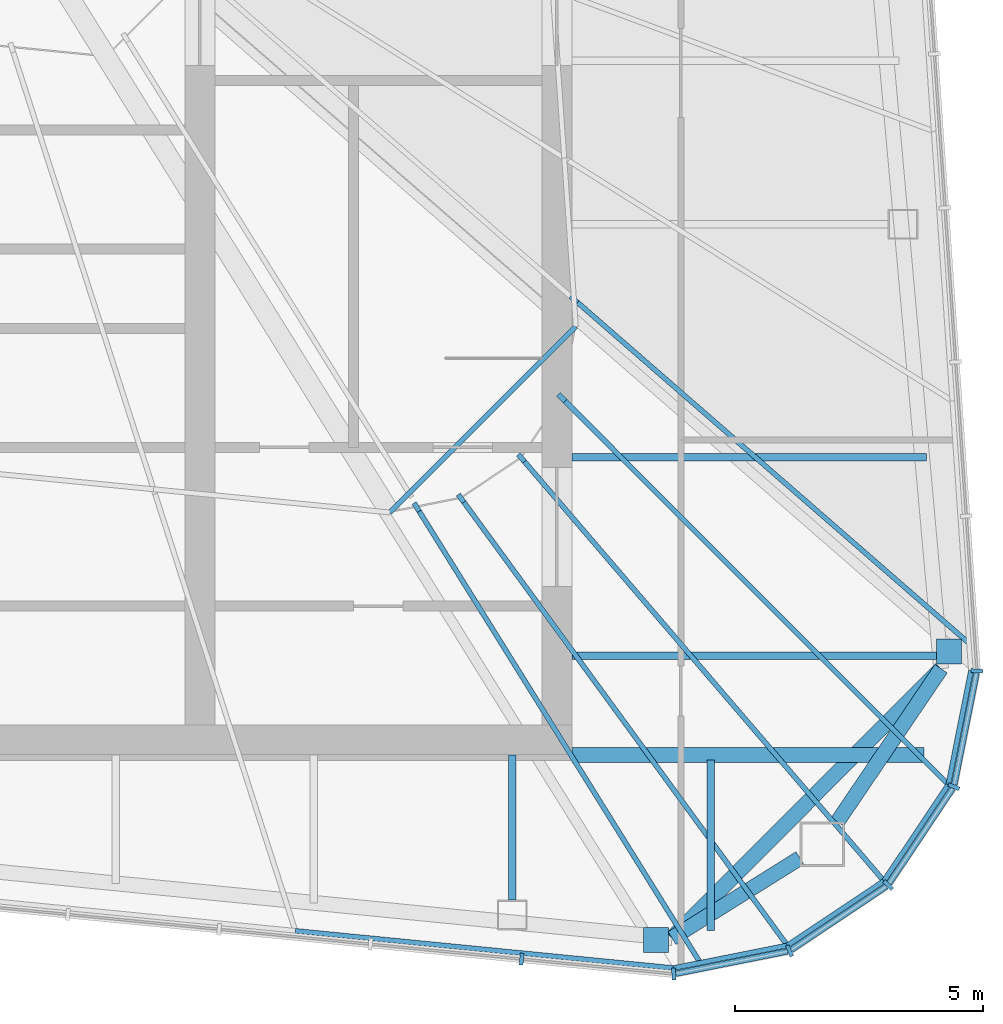
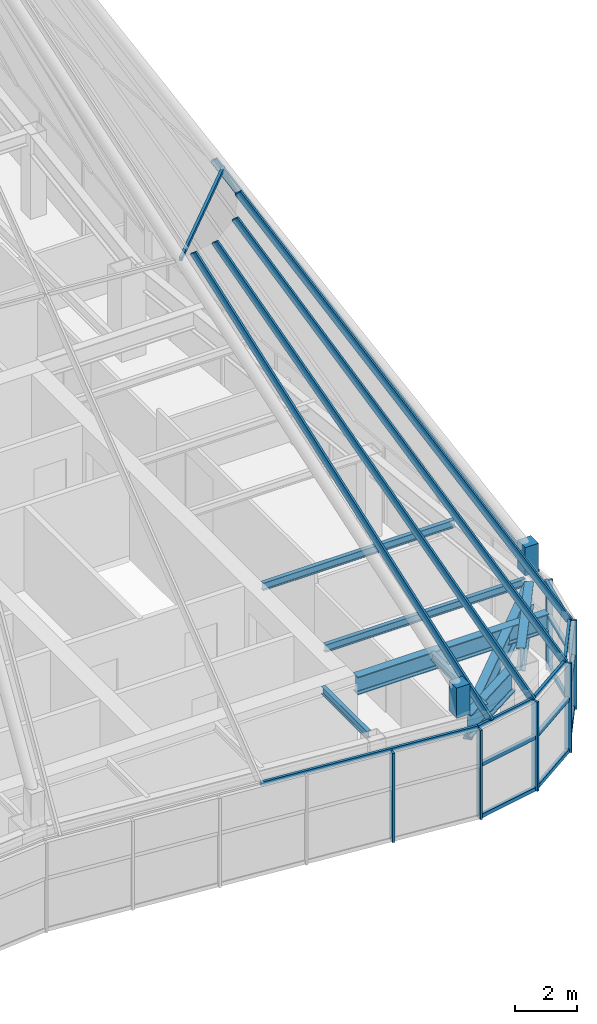
# One storey, part 9 of 28: 27 members, 8 beams, 10 elements without a shape of their own.
"""IFC4 building model written with IfcOpenShell, lengths in metres."""

import ifcopenshell
import ifcopenshell.guid

model = None  # the IFC model being written
_history = None  # IfcOwnerHistory: only IFC2X3 demands one
_inside = {}  # id of a spatial element -> (the spatial element, [elements in it])
_under = {}  # id of a project, library or spatial element -> (it, [spatial elements below it])
_declared = {}  # id of a project -> (the project, [libraries it declares])
_typed = {}  # id of a type object -> (the type object, [elements of that type])
_made_of = {}  # id of a material, layer set ... -> (it, [elements and type objects made of it])


def new_model(schema):
    """Start an empty IFC model of exactly this schema.

    Asked for "IFC4X3", IfcOpenShell would pick the latest addendum, in which some entities
    have other attributes; the version numbers below select the first issue.
    IFC2X3 requires an IfcOwnerHistory on every rooted entity: one is made here for all.
    """
    global model, _history
    if schema == "IFC4X3":
        model = ifcopenshell.file(schema_version=(4, 3, 0, 0))
    else:
        model = ifcopenshell.file(schema=schema)
    _inside.clear()
    _under.clear()
    _declared.clear()
    _typed.clear()
    _made_of.clear()
    _history = None
    if model.schema == "IFC2X3":
        org = make("IfcOrganization", Name="unknown")
        user = make(
            "IfcPersonAndOrganization",
            ThePerson=make("IfcPerson", FamilyName="unknown"),
            TheOrganization=org,
        )
        app = make(
            "IfcApplication",
            ApplicationDeveloper=org,
            Version="unknown",
            ApplicationFullName="unknown",
            ApplicationIdentifier="unknown",
        )
        _history = make(
            "IfcOwnerHistory",
            OwningUser=user,
            OwningApplication=app,
            ChangeAction="ADDED",
            CreationDate=0,
        )
    return model


def make(cls, **values):
    """One entity of the class cls with the attributes given. An attribute that is None is left unset."""
    return model.create_entity(
        cls, **{name: value for name, value in values.items() if value is not None}
    )


def rooted(cls, **values):
    """An entity with a GlobalId (a new one), such as an element, a storey or a relation."""
    return make(cls, GlobalId=ifcopenshell.guid.new(), OwnerHistory=_history, **values)


def si_unit(unit_type, name, prefix=None):
    """IfcSIUnit, for example si_unit("LENGTHUNIT", "METRE", prefix="MILLI")."""
    return make("IfcSIUnit", UnitType=unit_type, Prefix=prefix, Name=name)


def assignment(units):
    """IfcUnitAssignment: the units of a project."""
    return None if units is None else make("IfcUnitAssignment", Units=units)


def point(xyz):
    """IfcCartesianPoint."""
    return None if xyz is None else make("IfcCartesianPoint", Coordinates=xyz)


def direction(xyz):
    """IfcDirection."""
    return None if xyz is None else make("IfcDirection", DirectionRatios=xyz)


def frame(location, z_axis=None, x_axis=None):
    """IfcAxis2Placement3D, a coordinate frame: its origin and axes. An axis left out is left unset."""
    return make(
        "IfcAxis2Placement3D",
        Location=point(location),
        Axis=direction(z_axis),
        RefDirection=direction(x_axis),
    )


def frame_2d(location, x_axis=None):
    """IfcAxis2Placement2D, a coordinate frame in the plane: its origin and x axis."""
    return make(
        "IfcAxis2Placement2D", Location=point(location), RefDirection=direction(x_axis)
    )


def origin():
    """The frame at (0, 0, 0) with its axes left unset."""
    return frame((0.0, 0.0, 0.0))


def origin_2d():
    """The frame at (0, 0) in the plane with its x axis left unset."""
    return frame_2d((0.0, 0.0))


def place(relative_to, where):
    """IfcLocalPlacement: puts the frame where relative to a parent placement (None: the world)."""
    return make(
        "IfcLocalPlacement", PlacementRelTo=relative_to, RelativePlacement=where
    )


def context(
    kind, dimensions, precision=None, world=None, true_north=None, identifier=None
):
    """IfcGeometricRepresentationContext, for example the 3D "Model" context."""
    return make(
        "IfcGeometricRepresentationContext",
        ContextIdentifier=identifier,
        ContextType=kind,
        CoordinateSpaceDimension=dimensions,
        Precision=precision,
        WorldCoordinateSystem=world,
        TrueNorth=true_north,
    )


def subcontext(parent, identifier, kind, view, scale=None):
    """IfcGeometricRepresentationSubContext, for example "Body" below "Model"."""
    return make(
        "IfcGeometricRepresentationSubContext",
        ContextIdentifier=identifier,
        ContextType=kind,
        ParentContext=parent,
        TargetScale=scale,
        TargetView=view,
    )


def project(units=None, contexts=None):
    """IfcProject with its units and contexts."""
    return rooted(
        "IfcProject",
        Name="project",
        RepresentationContexts=contexts,
        UnitsInContext=assignment(units),
    )


def spatial(cls, under=None, at=None, **own):
    """A site, building, storey or space (cls), placed at a placement, below another one or the project."""
    s = rooted(cls, ObjectPlacement=at, **own)
    if under is not None:
        _under.setdefault(under.id(), (under, []))[1].append(s)
    return s


def profile(cls, at=None, kind="AREA", **sizes):
    """A parametric profile (cls). Its sizes go by their IFC names, for example OverallWidth=200.0."""
    return make(cls, ProfileType=kind, Position=at, **sizes)


def rectangle(**sizes):
    """IfcRectangleProfileDef."""
    return profile("IfcRectangleProfileDef", **sizes)


def i_section(**sizes):
    """IfcIShapeProfileDef."""
    return profile("IfcIShapeProfileDef", **sizes)


def extrude(swept, where, along, depth):
    """IfcExtrudedAreaSolid: the profile swept, set in the frame where, extruded along a direction by depth."""
    return make(
        "IfcExtrudedAreaSolid",
        SweptArea=swept,
        Position=where,
        ExtrudedDirection=direction(along),
        Depth=depth,
    )


def shape(context_of_items, identifier, shape_type, items):
    """IfcShapeRepresentation: the items that make up one representation, for example the "Body"."""
    return make(
        "IfcShapeRepresentation",
        ContextOfItems=context_of_items,
        RepresentationIdentifier=identifier,
        RepresentationType=shape_type,
        Items=items,
    )


def material(Name=None, Category=None):
    """IfcMaterial."""
    return make("IfcMaterial", Name=Name, Category=Category)


def layer(
    of_material, thickness, ventilated=None, Name=None, Category=None, Priority=None
):
    """IfcMaterialLayer: one layer of a wall or slab, of a material (None: an air gap)."""
    return make(
        "IfcMaterialLayer",
        Material=of_material,
        LayerThickness=thickness,
        IsVentilated=ventilated,
        Name=Name,
        Category=Category,
        Priority=Priority,
    )


def layer_set(layers, Name=None):
    """IfcMaterialLayerSet."""
    return make("IfcMaterialLayerSet", MaterialLayers=layers, LayerSetName=Name)


def material_profile(
    of_material, cross_section, Name=None, Category=None, Priority=None
):
    """IfcMaterialProfile: a cross section and its material."""
    return make(
        "IfcMaterialProfile",
        Name=Name,
        Material=of_material,
        Profile=cross_section,
        Priority=Priority,
        Category=Category,
    )


def profile_set(profiles, Name=None, composite=None):
    """IfcMaterialProfileSet."""
    return make(
        "IfcMaterialProfileSet",
        Name=Name,
        MaterialProfiles=profiles,
        CompositeProfile=composite,
    )


def made_of(thing, what):
    """Note that an element or type object is made of a material, layer set ...; save() writes the relation."""
    if what is not None:
        _made_of.setdefault(what.id(), (what, []))[1].append(thing)
    return thing


def type_object(cls, material=None, **own):
    """A type object (cls), such as IfcWallType, which elements share."""
    return made_of(rooted(cls, **own), material)


def element(
    cls,
    number,
    at=None,
    inside=None,
    cuts=None,
    type_object=None,
    material=None,
    context=None,
    identifier="Body",
    shape_type=None,
    held_by="IfcProductDefinitionShape",
    body=None,
    shapes=None,
    **own,
):
    """One element of the class cls, such as IfcWall. Its Tag is "e" and its number.

    at: its placement. inside: the storey or other place that contains it. cuts: it is an
    opening in that element (IfcRelVoidsElement). A single representation is given by context,
    identifier, shape_type and body (its items); several are given by shapes. held_by: the class
    of the entity that holds the representations. save() writes the other relations.
    """
    e = rooted(cls, Tag="e%d" % number, ObjectPlacement=at, **own)
    if body is not None:
        shapes = [shape(context, identifier, shape_type, body)]
    if shapes is not None:
        e.Representation = make(held_by, Representations=shapes)
    if inside is not None:
        _inside.setdefault(inside.id(), (inside, []))[1].append(e)
    if cuts is not None:
        rooted(
            "IfcRelVoidsElement", RelatingBuildingElement=cuts, RelatedOpeningElement=e
        )
    if type_object is not None:
        _typed.setdefault(type_object.id(), (type_object, []))[1].append(e)
    return made_of(e, material)


def aggregate(whole, parts):
    """IfcRelAggregates: a whole, such as a stair, and the parts it consists of."""
    return rooted("IfcRelAggregates", RelatingObject=whole, RelatedObjects=parts)


def save(model, path):
    """Write the relations noted so far, then the file.

    IfcRelAggregates (storeys below a building ...), IfcRelContainedInSpatialStructure (elements
    in a storey), IfcRelDefinesByType, IfcRelAssociatesMaterial and IfcRelDeclares: one each for
    every whole, place, type object, material and project.
    """
    for whole, parts in _under.values():
        aggregate(whole, parts)
    for where, things in _inside.values():
        rooted(
            "IfcRelContainedInSpatialStructure",
            RelatedElements=things,
            RelatingStructure=where,
        )
    for kind, things in _typed.values():
        rooted("IfcRelDefinesByType", RelatedObjects=things, RelatingType=kind)
    for what, things in _made_of.values():
        rooted("IfcRelAssociatesMaterial", RelatedObjects=things, RelatingMaterial=what)
    for by, libraries in _declared.values():
        rooted("IfcRelDeclares", RelatingContext=by, RelatedDefinitions=libraries)
    model.write(path)


model = new_model("IFC4")

# Units and contexts
model_context = context("Model", 3, precision=1e-05, world=origin(), true_north=direction((0.0, 1.0)))
body_context = subcontext(model_context, "Body", "Model", "MODEL_VIEW")
ifc_project = project(units=[si_unit("LENGTHUNIT", "METRE"), si_unit("AREAUNIT", "SQUARE_METRE"), si_unit("VOLUMEUNIT", "CUBIC_METRE"), si_unit("PLANEANGLEUNIT", "RADIAN"), si_unit("MASSUNIT", "GRAM", prefix="KILO")], contexts=[model_context])

# Site, building, storey
site_placement = place(None, origin())
site = spatial("IfcSite", under=ifc_project, at=site_placement, CompositionType="ELEMENT")
building_placement = place(site_placement, origin())
building = spatial("IfcBuilding", under=site, at=building_placement, Name="Verdant Reach Tower", CompositionType="ELEMENT")
storey_placement = place(building_placement, frame((0.0, 0.0, 368.0)))
storey = spatial("IfcBuildingStorey", under=building, at=storey_placement, Name="L83 Crown plant", CompositionType="ELEMENT", Elevation=368.0)

# Curtain wall, members
ifc_material_1 = material(Name="Anodised aluminium", Category="aluminium")
curtain_wall_type_1 = type_object("IfcCurtainWallType", Name="EN-CW SYSTEM PLANT", PredefinedType="NOTDEFINED", material=ifc_material_1)
curtain_wall_1_placement = place(storey_placement, origin())
curtain_wall_1 = element("IfcCurtainWall", 1, at=curtain_wall_1_placement, inside=storey, type_object=curtain_wall_type_1, Name="Curtain wall south-east corner, L83", PredefinedType="NOTDEFINED")
ifc_material_profile_1 = material_profile(ifc_material_1, rectangle(XDim=0.238037109375, YDim=0.080078125, at=origin_2d()), Name="Mullion 80x240")
ifc_profile_set_1 = profile_set([ifc_material_profile_1], Name="Anodised aluminium")
member_type_1 = type_object("IfcMemberType", Name="EN-MULLION PLANT", PredefinedType="MULLION", material=ifc_profile_set_1)
member_1_placement = place(storey_placement, frame((15.255859375, 13.381103515625, -0.35009765625), z_axis=(0.0, 0.0, 1.0), x_axis=(0.049127596288, -0.998792510626, 0.0)))
member_1 = element("IfcMember", 2, at=member_1_placement, type_object=member_type_1, Name="Mullion south-east corner 1, L83", PredefinedType="MULLION", context=body_context, shape_type="SweptSolid", body=[
    extrude(rectangle(XDim=0.238037109375, YDim=0.080078125, at=origin_2d()), origin(), (0.0, 0.0, 1.0), 3.5),
])
member_2_placement = place(storey_placement, frame((17.591552734375, 13.8466796875, -0.35009765625), z_axis=(0.0, 0.0, 1.0), x_axis=(0.382693853776, -0.923875215753, 0.0)))
member_2 = element("IfcMember", 3, at=member_2_placement, type_object=member_type_1, Name="Mullion south-east corner 2, L83", PredefinedType="MULLION", context=body_context, shape_type="SweptSolid", body=[
    extrude(rectangle(XDim=0.238037109375, YDim=0.080078125, at=origin_2d()), origin(), (0.0, 0.0, 1.0), 3.5),
])
member_3_placement = place(storey_placement, frame((19.57666015625, 15.17333984375, -0.35009765625), z_axis=(0.0, 0.0, 1.0), x_axis=(0.707106781187, -0.707106781187, 0.0)))
member_3 = element("IfcMember", 4, at=member_3_placement, type_object=member_type_1, Name="Mullion south-east corner 3, L83", PredefinedType="MULLION", context=body_context, shape_type="SweptSolid", body=[
    extrude(rectangle(XDim=0.238037109375, YDim=0.080078125, at=origin_2d()), origin(), (0.0, 0.0, 1.0), 3.5),
])
member_4_placement = place(storey_placement, frame((20.9033203125, 17.158447265625, -0.35009765625), z_axis=(0.0, 0.0, 1.0), x_axis=(0.923875215753, -0.382693853776, 0.0)))
member_4 = element("IfcMember", 5, at=member_4_placement, type_object=member_type_1, Name="Mullion south-east corner 4, L83", PredefinedType="MULLION", context=body_context, shape_type="SweptSolid", body=[
    extrude(rectangle(XDim=0.238037109375, YDim=0.080078125, at=origin_2d()), origin(), (0.0, 0.0, 1.0), 3.5),
])

# Curtain wall, member
curtain_wall_2_placement = place(storey_placement, origin())
curtain_wall_2 = element("IfcCurtainWall", 6, at=curtain_wall_2_placement, inside=storey, type_object=curtain_wall_type_1, Name="Curtain wall east, L83", PredefinedType="NOTDEFINED")
member_5_placement = place(storey_placement, frame((21.36865234375, 19.492431640625, -0.35009765625), z_axis=(0.0, 0.0, 1.0), x_axis=(0.997969180898, -0.063698618332, 0.0)))
member_5 = element("IfcMember", 7, at=member_5_placement, type_object=member_type_1, Name="Mullion east face part 1 1, L83", PredefinedType="MULLION", context=body_context, shape_type="SweptSolid", body=[
    extrude(rectangle(XDim=0.238037109375, YDim=0.080078125, at=origin_2d()), origin(), (0.0, 0.0, 1.0), 3.5),
])
aggregate(curtain_wall_2, [member_5])

curtain_wall_3_placement = place(storey_placement, origin())
curtain_wall_3 = element("IfcCurtainWall", 8, at=curtain_wall_3_placement, inside=storey, type_object=curtain_wall_type_1, Name="Curtain wall south, L83", PredefinedType="NOTDEFINED")
member_6_placement = place(storey_placement, frame((12.188232421875, 13.681640625, -0.35009765625), z_axis=(0.0, 0.0, 1.0), x_axis=(-0.09788826992, -0.995197410875, 0.0)))
member_6 = element("IfcMember", 9, at=member_6_placement, type_object=member_type_1, Name="Mullion south face part 2 5, L83", PredefinedType="MULLION", context=body_context, shape_type="SweptSolid", body=[
    extrude(rectangle(XDim=0.238037109375, YDim=0.080078125, at=origin_2d()), origin(), (0.0, 0.0, 1.0), 3.5),
])
aggregate(curtain_wall_3, [member_6])

curtain_wall_type_2 = type_object("IfcCurtainWallType", Name="EN-CW SYSTEM CROWN APEX", PredefinedType="NOTDEFINED", material=ifc_material_1)
curtain_wall_4_placement = place(storey_placement, origin())
curtain_wall_4 = element("IfcCurtainWall", 10, at=curtain_wall_4_placement, inside=storey, type_object=curtain_wall_type_2, Name="Crown glazing unit south-east corner 1, level 01", PredefinedType="NOTDEFINED")
ifc_material_profile_2 = material_profile(ifc_material_1, rectangle(XDim=0.10009765625, YDim=0.239990234375, at=origin_2d()), Name="Mullion 100x240")
ifc_profile_set_2 = profile_set([ifc_material_profile_2], Name="Anodised aluminium")
member_type_2 = type_object("IfcMemberType", Name="EN-RIB MULLION CROWN", PredefinedType="MULLION", material=ifc_profile_set_2)
member_7_placement = place(storey_placement, frame((15.78955078125, 13.607177734375, 3.14990234375), z_axis=(-0.312082184121, 0.501377935145, 0.806985053458), x_axis=(-0.848970240375, -0.528440659826, 0.0)))
member_7 = element("IfcMember", 11, at=member_7_placement, type_object=member_type_2, Name="Crown mullion south-east corner 1, level 01", PredefinedType="MULLION", context=body_context, shape_type="SweptSolid", body=[
    extrude(rectangle(XDim=0.10009765625, YDim=0.239990234375, at=origin_2d()), origin(), (0.0, 0.0, 1.0), 18.324462890625),
])

curtain_wall_5_placement = place(storey_placement, origin())
curtain_wall_5 = element("IfcCurtainWall", 12, at=curtain_wall_5_placement, inside=storey, type_object=curtain_wall_type_2, Name="Crown glazing unit south-east corner 2, level 01", PredefinedType="NOTDEFINED")
member_8_placement = place(storey_placement, frame((17.546142578125, 13.956787109375, 3.14990234375), z_axis=(-0.355144326864, 0.486641682724, 0.798155611226), x_axis=(-0.807769272417, -0.589498772296, 0.0)))
member_8 = element("IfcMember", 13, at=member_8_placement, type_object=member_type_2, Name="Crown mullion south-east corner 2, level 01", PredefinedType="MULLION", context=body_context, shape_type="SweptSolid", body=[
    extrude(rectangle(XDim=0.10009765625, YDim=0.239990234375, at=origin_2d()), origin(), (0.0, 0.0, 1.0), 18.527099609375),
])

curtain_wall_6_placement = place(storey_placement, origin())
curtain_wall_6 = element("IfcCurtainWall", 14, at=curtain_wall_6_placement, inside=storey, type_object=curtain_wall_type_2, Name="Crown glazing unit south-east corner 3, level 01", PredefinedType="NOTDEFINED")
member_9_placement = place(storey_placement, frame((19.49267578125, 15.25732421875, 3.14990234375), z_axis=(-0.393636847085, 0.459267091253, 0.796318888077), x_axis=(-0.759273478803, -0.650771683762, 0.0)))
member_9 = element("IfcMember", 15, at=member_9_placement, type_object=member_type_2, Name="Crown mullion south-east corner 3, level 01", PredefinedType="MULLION", context=body_context, shape_type="SweptSolid", body=[
    extrude(rectangle(XDim=0.10009765625, YDim=0.239990234375, at=origin_2d()), origin(), (0.0, 0.0, 1.0), 18.56982421875),
])

curtain_wall_7_placement = place(storey_placement, origin())
curtain_wall_7 = element("IfcCurtainWall", 16, at=curtain_wall_7_placement, inside=storey, type_object=curtain_wall_type_2, Name="Crown glazing unit south-east corner 4, level 01", PredefinedType="NOTDEFINED")
member_10_placement = place(storey_placement, frame((20.793212890625, 17.203857421875, 3.14990234375), z_axis=(-0.422691274786, 0.42275744851, 0.801628483744), x_axis=(-0.707162124646, -0.707051433395, 0.0)))
member_10 = element("IfcMember", 17, at=member_10_placement, type_object=member_type_2, Name="Crown mullion south-east corner 4, level 01", PredefinedType="MULLION", context=body_context, shape_type="SweptSolid", body=[
    extrude(rectangle(XDim=0.10009765625, YDim=0.239990234375, at=origin_2d()), origin(), (0.0, 0.0, 1.0), 18.447021484375),
])

curtain_wall_8_placement = place(storey_placement, origin())
curtain_wall_8 = element("IfcCurtainWall", 18, at=curtain_wall_8_placement, inside=storey, type_object=curtain_wall_type_2, Name="Crown glazing unit east face part 1 1, level 01", PredefinedType="NOTDEFINED")
member_11_placement = place(storey_placement, frame((21.212158203125, 20.048583984375, 3.14990234375), z_axis=(-0.438464049798, 0.381721643354, 0.81365709241), x_axis=(-0.656617966376, -0.754223339756, 0.0)))
member_11 = element("IfcMember", 19, at=member_11_placement, type_object=member_type_2, Name="Crown mullion east face part 1 1, level 01", PredefinedType="MULLION", context=body_context, shape_type="SweptSolid", body=[
    extrude(rectangle(XDim=0.10009765625, YDim=0.239990234375, at=origin_2d()), origin(), (0.0, 0.0, 1.0), 18.17431640625),
])
aggregate(curtain_wall_8, [member_11])

# Member
ifc_material_profile_3 = material_profile(ifc_material_1, rectangle(XDim=0.10009765625, YDim=0.139892578125, at=origin_2d()), Name="Transom 140x100")
ifc_profile_set_3 = profile_set([ifc_material_profile_3], Name="Anodised aluminium")
member_type_3 = type_object("IfcMemberType", Name="EN-TRANSOM CROWN", PredefinedType="USERDEFINED", material=ifc_profile_set_3)
member_12_placement = place(storey_placement, frame((15.25, 13.5, 3.14990234375), z_axis=(0.980780707056, 0.195113312377, 0.0), x_axis=(-0.195113312377, 0.980780707056, 0.0)))
member_12 = element("IfcMember", 20, at=member_12_placement, type_object=member_type_3, Name="Crown transom south-east corner 1, level 01", ObjectType="TRANSOM", PredefinedType="USERDEFINED", context=body_context, shape_type="SweptSolid", body=[
    extrude(rectangle(XDim=0.10009765625, YDim=0.139892578125, at=origin_2d()), origin(), (0.0, 0.0, 1.0), 2.341064453125),
])

aggregate(curtain_wall_4, [member_7, member_12])

member_13_placement = place(storey_placement, frame((17.546142578125, 13.956787109375, 3.14990234375), z_axis=(0.831488317141, 0.55554223823, 0.0), x_axis=(-0.55554223823, 0.831488317141, 0.0)))
member_13 = element("IfcMember", 21, at=member_13_placement, type_object=member_type_3, Name="Crown transom south-east corner 2, level 01", ObjectType="TRANSOM", PredefinedType="USERDEFINED", context=body_context, shape_type="SweptSolid", body=[
    extrude(rectangle(XDim=0.10009765625, YDim=0.139892578125, at=origin_2d()), origin(), (0.0, 0.0, 1.0), 2.341064453125),
])

aggregate(curtain_wall_5, [member_8, member_13])

member_14_placement = place(storey_placement, frame((19.49267578125, 15.25732421875, 3.14990234375), z_axis=(0.55554223823, 0.831488317141, 0.0), x_axis=(-0.831488317141, 0.55554223823, 0.0)))
member_14 = element("IfcMember", 22, at=member_14_placement, type_object=member_type_3, Name="Crown transom south-east corner 3, level 01", ObjectType="TRANSOM", PredefinedType="USERDEFINED", context=body_context, shape_type="SweptSolid", body=[
    extrude(rectangle(XDim=0.10009765625, YDim=0.139892578125, at=origin_2d()), origin(), (0.0, 0.0, 1.0), 2.341064453125),
])

aggregate(curtain_wall_6, [member_9, member_14])

member_15_placement = place(storey_placement, frame((20.793212890625, 17.203857421875, 3.14990234375), z_axis=(0.195113312377, 0.980780707056, 0.0), x_axis=(-0.980780707056, 0.195113312377, 0.0)))
member_15 = element("IfcMember", 23, at=member_15_placement, type_object=member_type_3, Name="Crown transom south-east corner 4, level 01", ObjectType="TRANSOM", PredefinedType="USERDEFINED", context=body_context, shape_type="SweptSolid", body=[
    extrude(rectangle(XDim=0.10009765625, YDim=0.139892578125, at=origin_2d()), origin(), (0.0, 0.0, 1.0), 2.341064453125),
])

aggregate(curtain_wall_7, [member_10, member_15])

# Curtain wall, member
curtain_wall_9_placement = place(storey_placement, origin())
curtain_wall_9 = element("IfcCurtainWall", 24, at=curtain_wall_9_placement, inside=storey, type_object=curtain_wall_type_2, Name="Crown glazing unit south face part 2 2, level 01", PredefinedType="NOTDEFINED")
member_16_placement = place(storey_placement, frame((7.625, 14.25, 3.14990234375), z_axis=(0.995197410875, -0.097888269922, 0.0), x_axis=(0.097888269922, 0.995197410875, 0.0)))
member_16 = element("IfcMember", 25, at=member_16_placement, type_object=member_type_3, Name="Crown transom south face part 2 2, level 01", ObjectType="TRANSOM", PredefinedType="USERDEFINED", context=body_context, shape_type="SweptSolid", body=[
    extrude(rectangle(XDim=0.10009765625, YDim=0.139892578125, at=origin_2d()), origin(), (0.0, 0.0, 1.0), 7.661865234375),
])
aggregate(curtain_wall_9, [member_16])

curtain_wall_10_placement = place(storey_placement, origin())
curtain_wall_10 = element("IfcCurtainWall", 26, at=curtain_wall_10_placement, inside=storey, type_object=curtain_wall_type_2, Name="Crown glazing unit south-east corner 1, level 02", PredefinedType="NOTDEFINED")
member_17_placement = place(storey_placement, frame((9.53125, 22.6875, 17.9375), z_axis=(0.707106781187, 0.707106781187, 0.0), x_axis=(-0.707106781187, 0.707106781187, 0.0)))
member_17 = element("IfcMember", 27, at=member_17_placement, type_object=member_type_3, Name="Crown transom south-east corner 1, level 02", ObjectType="TRANSOM", PredefinedType="USERDEFINED", context=body_context, shape_type="SweptSolid", body=[
    extrude(rectangle(XDim=0.10009765625, YDim=0.139892578125, at=origin_2d()), origin(), (0.0, 0.0, 1.0), 5.30322265625),
])
aggregate(curtain_wall_10, [member_17])

# Member
ifc_material_profile_4 = material_profile(ifc_material_1, rectangle(XDim=0.1201171875, YDim=0.14990234375, at=origin_2d()), Name="Transom 150x120")
ifc_profile_set_4 = profile_set([ifc_material_profile_4], Name="Anodised aluminium")
member_type_4 = type_object("IfcMemberType", Name="EN-TRANSOM PLANT", PredefinedType="USERDEFINED", material=ifc_profile_set_4)
member_18_placement = place(storey_placement, frame((15.295166015625, 13.388916015625, -0.27490234375), z_axis=(0.980706937788, 0.195483764476, 0.0), x_axis=(-0.195483764476, 0.980706937788, 0.0)))
member_18 = element("IfcMember", 28, at=member_18_placement, type_object=member_type_4, Name="Transom south-east corner 1.1, L83", ObjectType="TRANSOM", PredefinedType="USERDEFINED", context=body_context, shape_type="SweptSolid", body=[
    extrude(rectangle(XDim=0.1201171875, YDim=0.14990234375, at=origin_2d()), origin(), (0.0, 0.0, 1.0), 2.3017578125),
])

member_19_placement = place(storey_placement, frame((17.625, 13.868896484375, -0.27490234375), z_axis=(0.831398626828, 0.5556764556, 0.0), x_axis=(-0.5556764556, 0.831398626828, 0.0)))
member_19 = element("IfcMember", 29, at=member_19_placement, type_object=member_type_4, Name="Transom south-east corner 2.1, L83", ObjectType="TRANSOM", PredefinedType="USERDEFINED", context=body_context, shape_type="SweptSolid", body=[
    extrude(rectangle(XDim=0.1201171875, YDim=0.14990234375, at=origin_2d()), origin(), (0.0, 0.0, 1.0), 2.3076171875),
])

member_20_placement = place(storey_placement, frame((19.598876953125, 15.20654296875, -0.27490234375), z_axis=(0.5556764556, 0.831398626828, 0.0), x_axis=(-0.831398626828, 0.5556764556, 0.0)))
member_20 = element("IfcMember", 30, at=member_20_placement, type_object=member_type_4, Name="Transom south-east corner 3.1, L83", ObjectType="TRANSOM", PredefinedType="USERDEFINED", context=body_context, shape_type="SweptSolid", body=[
    extrude(rectangle(XDim=0.1201171875, YDim=0.14990234375, at=origin_2d()), origin(), (0.0, 0.0, 1.0), 2.3076171875),
])

member_21_placement = place(storey_placement, frame((20.9111328125, 17.197509765625, -0.27490234375), z_axis=(0.195524121666, 0.980698892549, 0.0), x_axis=(-0.980698892549, 0.195524121666, 0.0)))
member_21 = element("IfcMember", 31, at=member_21_placement, type_object=member_type_4, Name="Transom south-east corner 4.1, L83", ObjectType="TRANSOM", PredefinedType="USERDEFINED", context=body_context, shape_type="SweptSolid", body=[
    extrude(rectangle(XDim=0.1201171875, YDim=0.14990234375, at=origin_2d()), origin(), (0.0, 0.0, 1.0), 2.300048828125),
])

member_22_placement = place(storey_placement, frame((15.295166015625, 13.388916015625, 1.75), z_axis=(0.980706937788, 0.195483764476, 0.0), x_axis=(-0.195483764476, 0.980706937788, 0.0)))
member_22 = element("IfcMember", 32, at=member_22_placement, type_object=member_type_4, Name="Transom south-east corner 1.2, L83", ObjectType="TRANSOM", PredefinedType="USERDEFINED", context=body_context, shape_type="SweptSolid", body=[
    extrude(rectangle(XDim=0.1201171875, YDim=0.14990234375, at=origin_2d()), origin(), (0.0, 0.0, 1.0), 2.3017578125),
])

member_23_placement = place(storey_placement, frame((17.625, 13.868896484375, 1.75), z_axis=(0.831398626828, 0.5556764556, 0.0), x_axis=(-0.5556764556, 0.831398626828, 0.0)))
member_23 = element("IfcMember", 33, at=member_23_placement, type_object=member_type_4, Name="Transom south-east corner 2.2, L83", ObjectType="TRANSOM", PredefinedType="USERDEFINED", context=body_context, shape_type="SweptSolid", body=[
    extrude(rectangle(XDim=0.1201171875, YDim=0.14990234375, at=origin_2d()), origin(), (0.0, 0.0, 1.0), 2.3076171875),
])

member_24_placement = place(storey_placement, frame((19.598876953125, 15.20654296875, 1.75), z_axis=(0.5556764556, 0.831398626828, 0.0), x_axis=(-0.831398626828, 0.5556764556, 0.0)))
member_24 = element("IfcMember", 34, at=member_24_placement, type_object=member_type_4, Name="Transom south-east corner 3.2, L83", ObjectType="TRANSOM", PredefinedType="USERDEFINED", context=body_context, shape_type="SweptSolid", body=[
    extrude(rectangle(XDim=0.1201171875, YDim=0.14990234375, at=origin_2d()), origin(), (0.0, 0.0, 1.0), 2.3076171875),
])

member_25_placement = place(storey_placement, frame((20.9111328125, 17.197509765625, 1.75), z_axis=(0.195524121666, 0.980698892549, 0.0), x_axis=(-0.980698892549, 0.195524121666, 0.0)))
member_25 = element("IfcMember", 35, at=member_25_placement, type_object=member_type_4, Name="Transom south-east corner 4.2, L83", ObjectType="TRANSOM", PredefinedType="USERDEFINED", context=body_context, shape_type="SweptSolid", body=[
    extrude(rectangle(XDim=0.1201171875, YDim=0.14990234375, at=origin_2d()), origin(), (0.0, 0.0, 1.0), 2.300048828125),
])

aggregate(curtain_wall_1, [member_1, member_2, member_3, member_4, member_18, member_19, member_20, member_21, member_22, member_23, member_24, member_25])

# Beams
ifc_material_2 = material(Name="Steel S355", Category="steel")
ifc_material_profile_5 = material_profile(ifc_material_2, i_section(OverallWidth=0.300048828125, OverallDepth=0.699951171875, WebThickness=0.01708984375, FlangeThickness=0.031982421875, FilletRadius=0.027099609375, at=origin_2d()), Name="HEB 700")
ifc_profile_set_5 = profile_set([ifc_material_profile_5], Name="Steel S355")
beam_type_1 = type_object("IfcBeamType", Name="ST-BEAM-HEB700", PredefinedType="BEAM", material=ifc_profile_set_5)
beam_1_placement = place(storey_placement, frame((13.199951171875, 17.800048828125, 2.949951171875), z_axis=(1.0, 0.0, 0.0), x_axis=(0.0, 1.0, 0.0)))
element("IfcBeam", 36, at=beam_1_placement, inside=storey, type_object=beam_type_1, Name="Trimmer beam, L83 Crown plant", PredefinedType="BEAM", context=body_context, shape_type="SweptSolid", body=[
    extrude(i_section(OverallWidth=0.300048828125, OverallDepth=0.699951171875, WebThickness=0.01708984375, FlangeThickness=0.031982421875, FilletRadius=0.027099609375, at=origin_2d()), origin(), (0.0, 0.0, 1.0), 7.10009765625),
])
ifc_material_profile_6 = material_profile(ifc_material_2, i_section(OverallWidth=0.302001953125, OverallDepth=0.909912109375, WebThickness=0.02099609375, FlangeThickness=0.0400390625, FilletRadius=0.030029296875, at=origin_2d()), Name="HEM 900")
ifc_profile_set_6 = profile_set([ifc_material_profile_6], Name="Steel S355")
beam_type_2 = type_object("IfcBeamType", Name="ST-BEAM-HEM900", PredefinedType="BEAM", material=ifc_profile_set_6)
beam_2_placement = place(storey_placement, frame((17.800048828125, 15.71875, 2.844970703125), z_axis=(-0.847903624467, -0.530150397166, 0.0), x_axis=(0.530150397166, -0.847903624467, 0.0)))
element("IfcBeam", 37, at=beam_2_placement, inside=storey, type_object=beam_type_2, Name="Column stub beam, L83 Crown plant", PredefinedType="BEAM", context=body_context, shape_type="SweptSolid", body=[
    extrude(i_section(OverallWidth=0.302001953125, OverallDepth=0.909912109375, WebThickness=0.02099609375, FlangeThickness=0.0400390625, FilletRadius=0.030029296875, at=origin_2d()), origin(), (0.0, 0.0, 1.0), 3.042724609375),
])
beam_3_placement = place(storey_placement, frame((18.5546875, 16.449951171875, 2.844970703125), z_axis=(0.560667226688, 0.828041219335, 0.0), x_axis=(-0.828041219335, 0.560667226688, 0.0)))
element("IfcBeam", 38, at=beam_3_placement, inside=storey, type_object=beam_type_2, Name="Column stub beam, L83 Crown plant", PredefinedType="BEAM", context=body_context, shape_type="SweptSolid", body=[
    extrude(i_section(OverallWidth=0.302001953125, OverallDepth=0.909912109375, WebThickness=0.02099609375, FlangeThickness=0.0400390625, FilletRadius=0.030029296875, at=origin_2d()), origin(), (0.0, 0.0, 1.0), 3.72998046875),
])
ifc_material_profile_7 = material_profile(ifc_material_2, i_section(OverallWidth=0.14990234375, OverallDepth=0.300048828125, WebThickness=0.007080078125, FlangeThickness=0.0107421875, FilletRadius=0.014892578125, at=origin_2d()), Name="IPE 300")
ifc_profile_set_7 = profile_set([ifc_material_profile_7], Name="Steel S355")
beam_type_3 = type_object("IfcBeamType", Name="ST-JOIST-IPE300", PredefinedType="JOIST", material=ifc_profile_set_7)
beam_4_placement = place(storey_placement, frame((12.0, 17.800048828125, 3.14990234375), z_axis=(0.0, -1.0, 0.0), x_axis=(1.0, 0.0, 0.0)))
element("IfcBeam", 39, at=beam_4_placement, inside=storey, type_object=beam_type_3, Name="Floor joist, L83 Crown plant", PredefinedType="JOIST", context=body_context, shape_type="SweptSolid", body=[
    extrude(i_section(OverallWidth=0.14990234375, OverallDepth=0.300048828125, WebThickness=0.007080078125, FlangeThickness=0.0107421875, FilletRadius=0.014892578125, at=origin_2d()), origin(), (0.0, 0.0, 1.0), 2.930419921875),
])
beam_5_placement = place(storey_placement, frame((16.0, 17.699951171875, 3.14990234375), z_axis=(0.0, -1.0, 0.0), x_axis=(1.0, 0.0, 0.0)))
element("IfcBeam", 40, at=beam_5_placement, inside=storey, type_object=beam_type_3, Name="Floor joist, L83 Crown plant", PredefinedType="JOIST", context=body_context, shape_type="SweptSolid", body=[
    extrude(i_section(OverallWidth=0.14990234375, OverallDepth=0.300048828125, WebThickness=0.007080078125, FlangeThickness=0.0107421875, FilletRadius=0.014892578125, at=origin_2d()), origin(), (0.0, 0.0, 1.0), 3.43896484375),
])
beam_6_placement = place(storey_placement, frame((13.199951171875, 19.800048828125, 3.14990234375), z_axis=(1.0, 0.0, 0.0), x_axis=(0.0, 1.0, 0.0)))
element("IfcBeam", 41, at=beam_6_placement, inside=storey, type_object=beam_type_3, Name="Floor joist, L83 Crown plant", PredefinedType="JOIST", context=body_context, shape_type="SweptSolid", body=[
    extrude(i_section(OverallWidth=0.14990234375, OverallDepth=0.300048828125, WebThickness=0.007080078125, FlangeThickness=0.0107421875, FilletRadius=0.014892578125, at=origin_2d()), origin(), (0.0, 0.0, 1.0), 7.427978515625),
])
beam_7_placement = place(storey_placement, frame((13.199951171875, 23.800048828125, 3.14990234375), z_axis=(1.0, 0.0, 0.0), x_axis=(0.0, 1.0, 0.0)))
element("IfcBeam", 42, at=beam_7_placement, inside=storey, type_object=beam_type_3, Name="Floor joist, L83 Crown plant", PredefinedType="JOIST", context=body_context, shape_type="SweptSolid", body=[
    extrude(i_section(OverallWidth=0.14990234375, OverallDepth=0.300048828125, WebThickness=0.007080078125, FlangeThickness=0.0107421875, FilletRadius=0.014892578125, at=origin_2d()), origin(), (0.0, 0.0, 1.0), 7.152099609375),
])

# Members
ifc_material_3 = material(Name="Steel S460", Category="steel")
ifc_layer = layer(ifc_material_3, 0.5)
ifc_layer_set = layer_set([ifc_layer], Name="ST-NODE-FOOT")
member_type_5 = type_object("IfcMemberType", Name="ST-NODE-FOOT", PredefinedType="POST", material=ifc_layer_set)
member_26_placement = place(storey_placement, frame((14.8984375, 14.064697265625, 3.5), z_axis=(0.0, 0.0, 1.0), x_axis=(1.0, 0.0, 0.0)))
element("IfcMember", 43, at=member_26_placement, inside=storey, type_object=member_type_5, Name="Crown rib foot node 1", PredefinedType="POST", context=body_context, shape_type="SweptSolid", body=[
    extrude(rectangle(XDim=0.5, YDim=0.5, at=origin_2d()), origin(), (0.0, 0.0, 1.0), 1.187255859375),
])
member_27_placement = place(storey_placement, frame((20.8056640625, 19.88671875, 3.5), z_axis=(0.0, 0.0, 1.0), x_axis=(1.0, 0.0, 0.0)))
element("IfcMember", 44, at=member_27_placement, inside=storey, type_object=member_type_5, Name="Crown rib foot node 2", PredefinedType="POST", context=body_context, shape_type="SweptSolid", body=[
    extrude(rectangle(XDim=0.5, YDim=0.5, at=origin_2d()), origin(), (0.0, 0.0, 1.0), 1.10498046875),
])

# Beam
ifc_material_profile_8 = material_profile(ifc_material_2, i_section(OverallWidth=0.302001953125, OverallDepth=1.008056640625, WebThickness=0.02099609375, FlangeThickness=0.0400390625, FilletRadius=0.030029296875, at=origin_2d()), Name="HEM 1000")
ifc_profile_set_8 = profile_set([ifc_material_profile_8], Name="Steel S355")
beam_type_4 = type_object("IfcBeamType", Name="ST-SPANDREL-HEM1000", PredefinedType="SPANDREL", material=ifc_profile_set_8)
beam_8_placement = place(storey_placement, frame((20.64599609375, 19.53857421875, 2.7958984375), z_axis=(-0.706645581521, -0.707567680237, 0.0), x_axis=(0.707567680237, -0.706645581521, 0.0)))
element("IfcBeam", 45, at=beam_8_placement, inside=storey, type_object=beam_type_4, Name="Edge beam, L83 Crown plant", PredefinedType="SPANDREL", context=body_context, shape_type="SweptSolid", body=[
    extrude(i_section(OverallWidth=0.302001953125, OverallDepth=1.008056640625, WebThickness=0.02099609375, FlangeThickness=0.0400390625, FilletRadius=0.030029296875, at=origin_2d()), origin(), (0.0, 0.0, 1.0), 7.67822265625),
])

save(model, "model.ifc")
